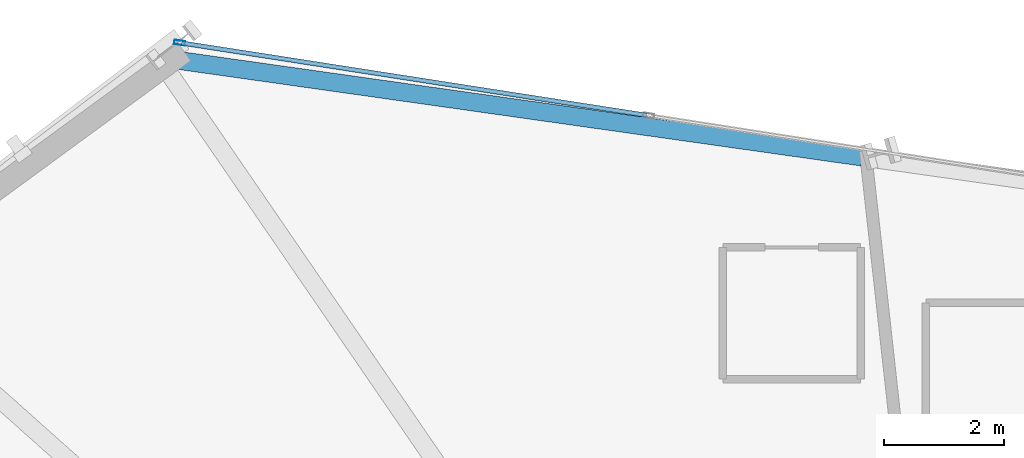
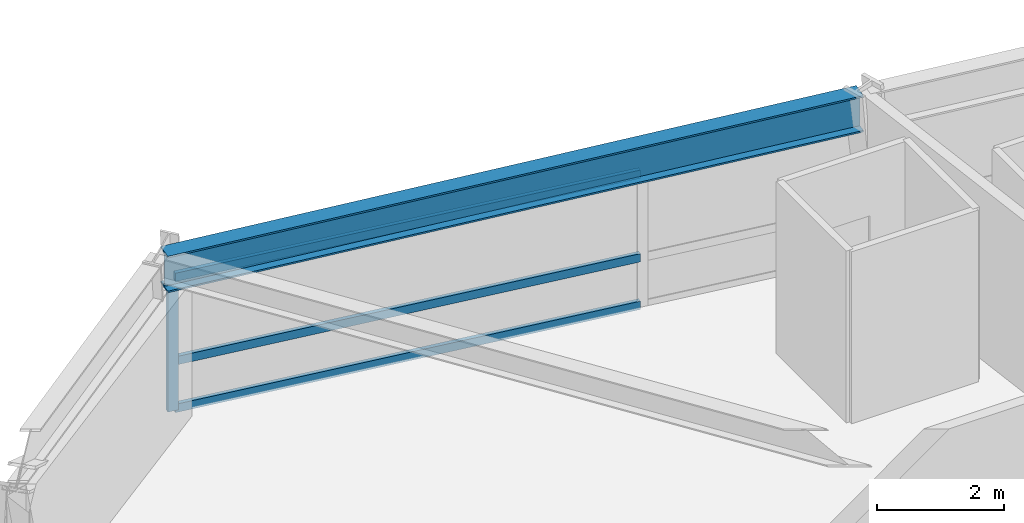
# One storey, part 10 of 22: 4 members, 1 beam, 1 element without a shape of its own.
"""IFC4 building model written with IfcOpenShell, lengths in metres."""

from ifc_helpers import new_model, si_unit, direction, frame, origin, origin_2d, place, context, subcontext, project, spatial, hollow_rectangle, i_section, extrude, source, transform, mapped, material, material_profile, profile_set, type_object, element, aggregate, save


model = new_model("IFC4")

# Units and contexts
model_context = context("Model", 3, precision=1e-05, world=origin(), true_north=direction((0.0, 1.0)))
body_context = subcontext(model_context, "Body", "Model", "MODEL_VIEW")
ifc_project = project(units=[si_unit("LENGTHUNIT", "METRE"), si_unit("AREAUNIT", "SQUARE_METRE"), si_unit("VOLUMEUNIT", "CUBIC_METRE"), si_unit("PLANEANGLEUNIT", "RADIAN"), si_unit("MASSUNIT", "GRAM", prefix="KILO")], contexts=[model_context])

# Site, building, storey
site_placement = place(None, origin())
site = spatial("IfcSite", under=ifc_project, at=site_placement, CompositionType="ELEMENT")
building_placement = place(site_placement, origin())
building = spatial("IfcBuilding", under=site, at=building_placement, Name="Olszyna Solenne Hotel", CompositionType="ELEMENT")
storey_placement = place(building_placement, frame((0.0, 0.0, 50.60009765625)))
storey = spatial("IfcBuildingStorey", under=building, at=storey_placement, Name="L12", CompositionType="ELEMENT", Elevation=50.60009765625)

# Beam
ifc_material_1 = material(Name="Steel S355J2", Category="steel")
ifc_material_profile_1 = material_profile(ifc_material_1, i_section(OverallWidth=0.300048828125, OverallDepth=0.699951171875, WebThickness=0.01708984375, FlangeThickness=0.031982421875, at=origin_2d()), Name="HEB 700", Category="load-bearing")
ifc_profile_set_1 = profile_set([ifc_material_profile_1], Name="Steel S355J2")
beam_type = type_object("IfcBeamType", Name="BM-S1", PredefinedType="BEAM", material=ifc_profile_set_1)
shared_shape_1 = source(origin(), body_context, "Body", "SweptSolid", [
    extrude(i_section(OverallWidth=0.300048828125, OverallDepth=0.699951171875, WebThickness=0.01708984375, FlangeThickness=0.031982421875, at=origin_2d()), origin(), (0.0, 0.0, 1.0), 11.797119140625),
])
beam_placement = place(storey_placement, frame((35.888916015625, 45.13623046875, 2.949951171875), z_axis=(-0.990151286488, 0.14000153523, 0.0), x_axis=(-0.14000153523, -0.990151286488, 0.0)))
element("IfcBeam", 1, at=beam_placement, inside=storey, type_object=beam_type, Name="Perimeter spandrel beam BM-S1 B-L12-0380", PredefinedType="BEAM", context=body_context, shape_type="MappedRepresentation", body=[
    mapped(shared_shape_1, transform((0.0, 0.0, 0.0), x_axis=(1.0, 0.0, 0.0), y_axis=(0.0, 1.0, 0.0), z_axis=(0.0, 0.0, 1.0), scale=1.0)),
])

# Curtain wall, members
ifc_material_2 = material(Name="Anodised bronze aluminium", Category="aluminium")
curtain_wall_type = type_object("IfcCurtainWallType", Name="CW-SYS-2", PredefinedType="NOTDEFINED", material=ifc_material_2)
curtain_wall_placement = place(storey_placement, origin())
curtain_wall = element("IfcCurtainWall", 2, at=curtain_wall_placement, inside=storey, type_object=curtain_wall_type, Name="Unitised curtain wall CW-SYS-2 CW-L12-02", PredefinedType="NOTDEFINED")
ifc_material_profile_2 = material_profile(ifc_material_2, hollow_rectangle(XDim=0.074951171875, YDim=0.179931640625, WallThickness=0.00439453125, at=origin_2d()), Name="MULL 180x75x4.5", Category="load-bearing")
ifc_profile_set_2 = profile_set([ifc_material_profile_2], Name="Anodised bronze aluminium")
member_type_1 = type_object("IfcMemberType", Name="CW-M2", PredefinedType="MULLION", material=ifc_profile_set_2)
shared_shape_2 = source(origin(), body_context, "Body", "SweptSolid", [
    extrude(hollow_rectangle(XDim=0.074951171875, YDim=0.179931640625, WallThickness=0.00439453125, at=origin_2d()), origin(), (0.0, 0.0, 1.0), 2.591796875),
])
member_1_placement = place(storey_placement, frame((24.503173828125, 47.0439453125, 0.0), z_axis=(0.0, 0.0, 1.0), x_axis=(0.15367373329, 0.98812164418, 0.0)))
member_1 = element("IfcMember", 3, at=member_1_placement, type_object=member_type_1, Name="Curtain-wall mullion CW-M2 CM-L12-02-01", PredefinedType="MULLION", context=body_context, shape_type="MappedRepresentation", body=[
    mapped(shared_shape_2, transform((0.0, 0.0, 0.0), x_axis=(1.0, 0.0, 0.0), y_axis=(0.0, 1.0, 0.0), z_axis=(0.0, 0.0, 1.0), scale=1.0)),
])
ifc_material_profile_3 = material_profile(ifc_material_2, hollow_rectangle(XDim=0.074951171875, YDim=0.159912109375, WallThickness=0.00390625, at=origin_2d()), Name="TRAN 160x75x4", Category="load-bearing")
ifc_profile_set_3 = profile_set([ifc_material_profile_3], Name="Anodised bronze aluminium")
member_type_2 = type_object("IfcMemberType", Name="CW-T1", PredefinedType="USERDEFINED", material=ifc_profile_set_3)
shared_shape_3 = source(origin(), body_context, "Body", "SweptSolid", [
    extrude(hollow_rectangle(XDim=0.074951171875, YDim=0.159912109375, WallThickness=0.00390625, at=origin_2d()), origin(), (0.0, 0.0, 1.0), 7.84326171875),
])
member_2_placement = place(storey_placement, frame((24.540283203125, 47.038330078125, 0.037353515625), z_axis=(0.988120986112, -0.153677964605, 0.0), x_axis=(0.153677964605, 0.988120986112, 0.0)))
member_2 = element("IfcMember", 4, at=member_2_placement, type_object=member_type_2, Name="Curtain-wall transom CW-T1 CT-L12-02-01", ObjectType="TRANSOM", PredefinedType="USERDEFINED", context=body_context, shape_type="MappedRepresentation", body=[
    mapped(shared_shape_3, transform((0.0, 0.0, 0.0), x_axis=(1.0, 0.0, 0.0), y_axis=(0.0, 1.0, 0.0), z_axis=(0.0, 0.0, 1.0), scale=1.0)),
])
member_3_placement = place(storey_placement, frame((24.540283203125, 47.038330078125, 0.949951171875), z_axis=(0.988120986112, -0.153677964605, 0.0), x_axis=(0.153677964605, 0.988120986112, 0.0)))
member_3 = element("IfcMember", 5, at=member_3_placement, type_object=member_type_2, Name="Curtain-wall transom CW-T1 CT-L12-02-02", ObjectType="TRANSOM", PredefinedType="USERDEFINED", context=body_context, shape_type="MappedRepresentation", body=[
    mapped(shared_shape_3, transform((0.0, 0.0, 0.0), x_axis=(1.0, 0.0, 0.0), y_axis=(0.0, 1.0, 0.0), z_axis=(0.0, 0.0, 1.0), scale=1.0)),
])
member_4_placement = place(storey_placement, frame((24.540283203125, 47.038330078125, 2.554443359375), z_axis=(0.988120986112, -0.153677964605, 0.0), x_axis=(0.153677964605, 0.988120986112, 0.0)))
member_4 = element("IfcMember", 6, at=member_4_placement, type_object=member_type_2, Name="Curtain-wall transom CW-T1 CT-L12-02-03", ObjectType="TRANSOM", PredefinedType="USERDEFINED", context=body_context, shape_type="MappedRepresentation", body=[
    mapped(shared_shape_3, transform((0.0, 0.0, 0.0), x_axis=(1.0, 0.0, 0.0), y_axis=(0.0, 1.0, 0.0), z_axis=(0.0, 0.0, 1.0), scale=1.0)),
])
aggregate(curtain_wall, [member_1, member_2, member_3, member_4])

save(model, "model.ifc")
